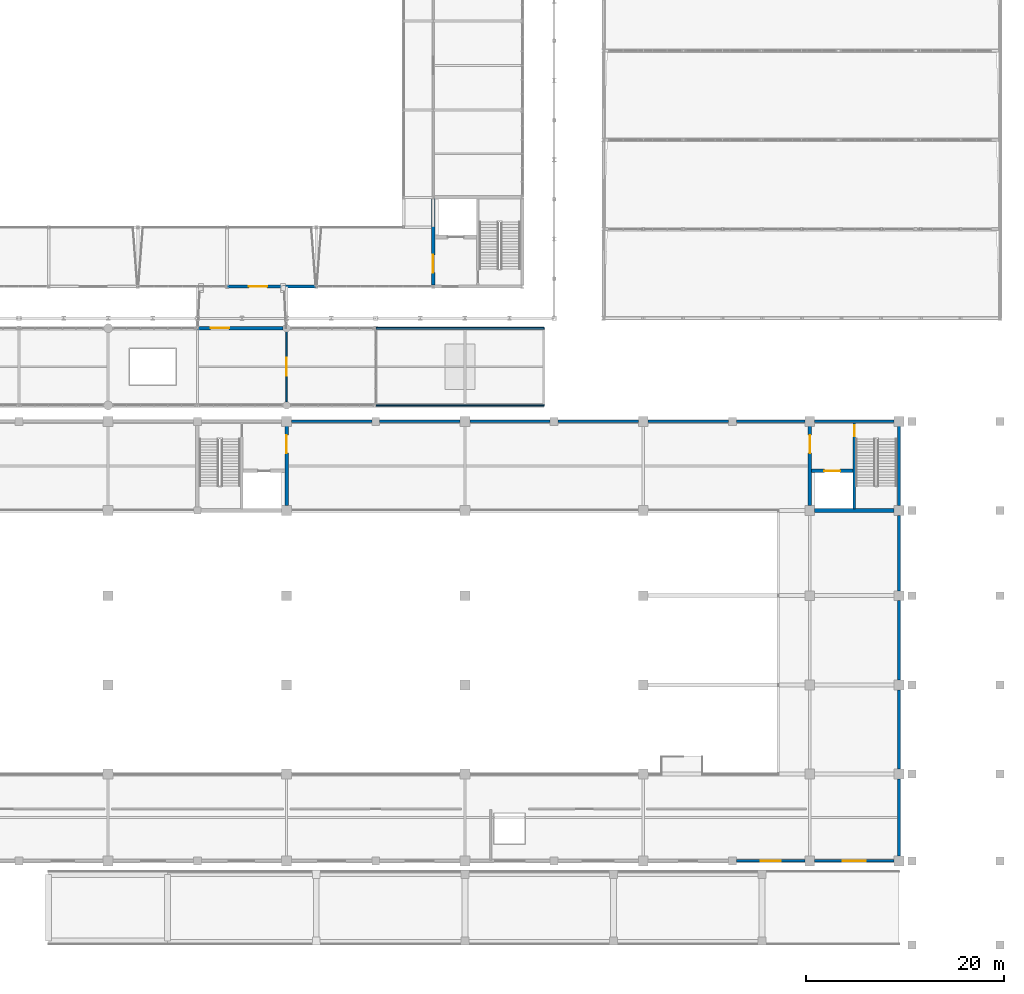
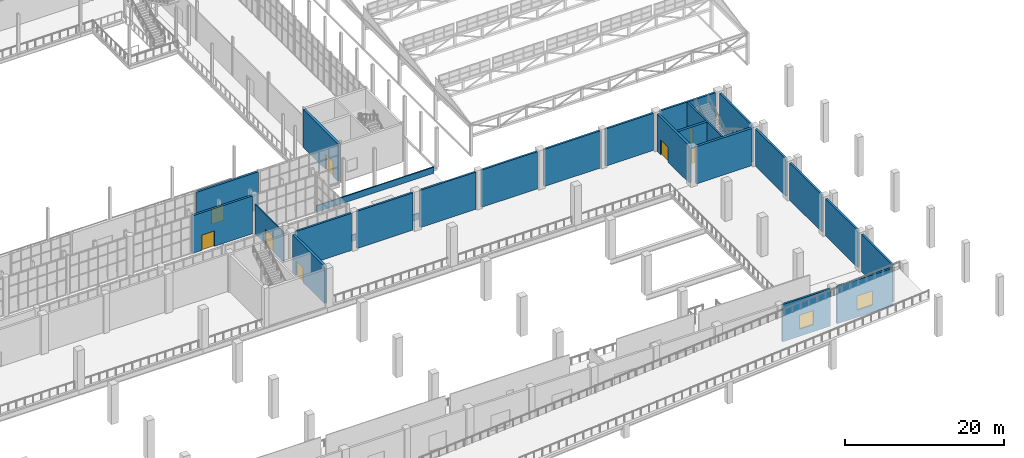
# One storey, part 127 of 159: 25 walls, 8 doors, 2 windows, 10 openings.
"""IFC4 building model written with IfcOpenShell, lengths in metres."""

from ifc_helpers import new_model, si_unit, direction, frame, frame_2d, origin, place, context, subcontext, project, spatial, rectangle, extrude, material, layer, layer_set, type_object, element, fill, save


model = new_model("IFC4")

# Units and contexts
model_context = context("Model", 3, precision=1e-05, world=origin(), true_north=direction((0.0, 1.0)))
body_context = subcontext(model_context, "Body", "Model", "MODEL_VIEW")
ifc_project = project(units=[si_unit("LENGTHUNIT", "METRE"), si_unit("AREAUNIT", "SQUARE_METRE"), si_unit("VOLUMEUNIT", "CUBIC_METRE"), si_unit("PLANEANGLEUNIT", "RADIAN"), si_unit("MASSUNIT", "GRAM", prefix="KILO")], contexts=[model_context])

# Site, building, storey
site_placement = place(None, origin())
site = spatial("IfcSite", under=ifc_project, at=site_placement, CompositionType="ELEMENT")
building_placement = place(site_placement, origin())
building = spatial("IfcBuilding", under=site, at=building_placement, Name="Cazmaro Siding Exhibition Halls", CompositionType="ELEMENT")
storey_placement = place(building_placement, frame((0.0, 0.0, 6.0)))
storey = spatial("IfcBuildingStorey", under=building, at=storey_placement, Name="L01", CompositionType="ELEMENT", Elevation=6.0)

# Wall, opening, door
ifc_material_1 = material(Name="Concrete f'c 45 MPa", Category="concrete")
ifc_layer_1 = layer(ifc_material_1, 0.320068359375)
ifc_layer_set_1 = layer_set([ifc_layer_1], Name="Concrete f'c 45 MPa")
wall_type_1 = type_object("IfcWallType", Name="EW-01", PredefinedType="STANDARD", material=ifc_layer_set_1)
wall_1_placement = place(storey_placement, frame((146.988037109375, 67.199951171875, 0.0), z_axis=(0.0, 0.0, 1.0), x_axis=(-1.0, 0.0, 0.0)))
wall_1 = element("IfcWall", 1, at=wall_1_placement, inside=storey, type_object=wall_type_1, Name="Hall A Bridge Portal Wall L01 EW-01 WL-E0022", PredefinedType="STANDARD", context=body_context, shape_type="SweptSolid", body=[
    extrude(rectangle(XDim=8.97607421875, YDim=0.320068359375, at=frame_2d((4.488037109375, 0.0))), origin(), (0.0, 0.0, 1.0), 5.780029296875),
])
opening_1_placement = place(wall_1_placement, frame((4.93798828125, 0.0, 0.0)))
opening_1 = element("IfcOpeningElement", 2, at=opening_1_placement, cuts=wall_1, Name="Opening D-E009", PredefinedType="OPENING", context=body_context, shape_type="SweptSolid", body=[
    extrude(rectangle(XDim=1.85009765625, YDim=2.35009765625, at=frame_2d((0.925048828125, 1.175048828125))), frame((0.0, 0.169921875, 0.0), z_axis=(0.0, -1.0, 0.0), x_axis=(1.0, 0.0, 0.0)), (0.0, 0.0, 1.0), 0.340087890625),
])
ifc_material_2 = material(Name="Anodized Bronze Glazed Entrance Door", Category="aluminium")
door_type_1 = type_object("IfcDoorType", Name="ED-03", OperationType="DOUBLE_DOOR_SINGLE_SWING", PredefinedType="DOOR", material=ifc_material_2)
door_1_placement = place(opening_1_placement, origin())
door_1 = element("IfcDoor", 3, at=door_1_placement, inside=storey, type_object=door_type_1, Name="Exterior door D-E009 (ED-03)", OperationType="DOUBLE_DOOR_SINGLE_SWING", OverallHeight=2.35009765625, OverallWidth=1.85009765625, PredefinedType="DOOR", context=body_context, shape_type="SweptSolid", body=[
    extrude(rectangle(XDim=1.85009765625, YDim=2.35009765625, at=frame_2d((0.925048828125, 1.175048828125))), frame((0.0, 0.02490234375, 0.0), z_axis=(0.0, -1.0, 0.0), x_axis=(1.0, 0.0, 0.0)), (0.0, 0.0, 1.0), 0.050048828125),
])
fill(opening_1, door_1)

wall_2_placement = place(storey_placement, frame((135.012939453125, 63.0, 0.0), z_axis=(0.0, 0.0, 1.0), x_axis=(1.0, 0.0, 0.0)))
wall_2 = element("IfcWall", 4, at=wall_2_placement, inside=storey, type_object=wall_type_1, Name="Concourse North Bridge Portal L01 EW-01 WL-E0180", PredefinedType="STANDARD", context=body_context, shape_type="SweptSolid", body=[
    extrude(rectangle(XDim=8.626953125, YDim=0.320068359375, at=frame_2d((4.3134765625, 0.0))), origin(), (0.0, 0.0, 1.0), 5.780029296875),
])
opening_2_placement = place(wall_2_placement, frame((1.3369140625, 0.0, 0.0)))
opening_2 = element("IfcOpeningElement", 5, at=opening_2_placement, cuts=wall_2, Name="Opening D-E047", PredefinedType="OPENING", context=body_context, shape_type="SweptSolid", body=[
    extrude(rectangle(XDim=1.85009765625, YDim=2.35009765625, at=frame_2d((0.925048828125, 1.175048828125))), frame((0.0, 0.169921875, 0.0), z_axis=(0.0, -1.0, 0.0), x_axis=(1.0, 0.0, 0.0)), (0.0, 0.0, 1.0), 0.340087890625),
])
door_2_placement = place(opening_2_placement, origin())
door_2 = element("IfcDoor", 6, at=door_2_placement, inside=storey, type_object=door_type_1, Name="Exterior door D-E047 (ED-03)", OperationType="DOUBLE_DOOR_SINGLE_SWING", OverallHeight=2.35009765625, OverallWidth=1.85009765625, PredefinedType="DOOR", context=body_context, shape_type="SweptSolid", body=[
    extrude(rectangle(XDim=1.85009765625, YDim=2.35009765625, at=frame_2d((0.925048828125, 1.175048828125))), frame((0.0, 0.02490234375, 0.0), z_axis=(0.0, -1.0, 0.0), x_axis=(1.0, 0.0, 0.0)), (0.0, 0.0, 1.0), 0.050048828125),
])
fill(opening_2, door_2)

# Walls
ifc_material_3 = material(Name="Precast concrete f'c 40 MPa", Category="concrete")
ifc_layer_2 = layer(ifc_material_3, 0.280029296875)
ifc_layer_set_2 = layer_set([ifc_layer_2], Name="Precast concrete f'c 40 MPa")
wall_type_2 = type_object("IfcWallType", Name="EW-02", PredefinedType="STANDARD", material=ifc_layer_set_2)
for number, where, z_axis, x_axis, name in (
    (7, (144.491943359375, 53.60009765625, 0.0), (0.0, 0.0, 1.0), (1.0, 0.0, 0.0), "Hall B1 North Upper Wall EW-02 WL-E0088"),
    (8, (153.39208984375, 53.60009765625, 0.0), (0.0, 0.0, 1.0), (1.0, 0.0, 0.0), "Hall B1 North Upper Wall EW-02 WL-E0094"),
    (9, (162.491943359375, 53.60009765625, 0.0), (0.0, 0.0, 1.0), (1.0, 0.0, 0.0), "Hall B1 North Upper Wall EW-02 WL-E0100"),
    (10, (171.39208984375, 53.60009765625, 0.0), (0.0, 0.0, 1.0), (1.0, 0.0, 0.0), "Hall B1 North Upper Wall EW-02 WL-E0106"),
    (11, (180.491943359375, 53.60009765625, 0.0), (0.0, 0.0, 1.0), (1.0, 0.0, 0.0), "Hall B1 North Upper Wall EW-02 WL-E0112"),
):
    element("IfcWall", number, at=place(storey_placement, frame(where, z_axis=z_axis, x_axis=x_axis)), inside=storey, type_object=wall_type_2, Name=name, PredefinedType="STANDARD", context=body_context, shape_type="SweptSolid", body=[
        extrude(rectangle(XDim=8.115966796875, YDim=0.280029296875, at=frame_2d((4.05810546875, 0.0))), origin(), (0.0, 0.0, 1.0), 5.699951171875),
    ])

# Wall, opening, window
wall_3_placement = place(storey_placement, frame((196.30810546875, 9.25, 0.0), z_axis=(0.0, 0.0, 1.0), x_axis=(-1.0, 0.0, 0.0)))
wall_3 = element("IfcWall", 12, at=wall_3_placement, inside=storey, type_object=wall_type_2, Name="Hall B1 South Mezzanine Wall EW-02 WL-E0115", PredefinedType="STANDARD", context=body_context, shape_type="SweptSolid", body=[
    extrude(rectangle(XDim=6.916015625, YDim=0.280029296875, at=frame_2d((3.4580078125, 0.0))), origin(), (0.0, 0.0, 1.0), 5.699951171875),
])
opening_3_placement = place(wall_3_placement, frame((2.4580078125, 0.0, 1.10009765625)))
opening_3 = element("IfcOpeningElement", 13, at=opening_3_placement, cuts=wall_3, Name="Opening W-051", PredefinedType="OPENING", context=body_context, shape_type="SweptSolid", body=[
    extrude(rectangle(XDim=2.0, YDim=2.14990234375, at=frame_2d((1.0, 1.074951171875))), frame((0.0, 0.14990234375, 0.0), z_axis=(0.0, -1.0, 0.0), x_axis=(1.0, 0.0, 0.0)), (0.0, 0.0, 1.0), 0.300048828125),
])
ifc_material_4 = material(Name="Thermally Broken Aluminum Low-E Window Unit", Category="aluminium")
window_type_1 = type_object("IfcWindowType", Name="WT-14", PartitioningType="SINGLE_PANEL", PredefinedType="WINDOW", material=ifc_material_4)
window_1_placement = place(opening_3_placement, origin())
window_1 = element("IfcWindow", 14, at=window_1_placement, inside=storey, type_object=window_type_1, Name="Window W-051 (WT-14)", OverallHeight=2.14990234375, OverallWidth=2.0, PartitioningType="SINGLE_PANEL", PredefinedType="WINDOW", context=body_context, shape_type="SweptSolid", body=[
    extrude(rectangle(XDim=2.0, YDim=2.14990234375, at=frame_2d((1.0, 1.074951171875))), frame((0.0, 0.030029296875, 0.0), z_axis=(0.0, -1.0, 0.0), x_axis=(1.0, 0.0, 0.0)), (0.0, 0.0, 1.0), 0.06005859375),
])
fill(opening_3, window_1)

# Wall
wall_4_placement = place(storey_placement, frame((189.39208984375, 53.60009765625, 0.0), z_axis=(0.0, 0.0, 1.0), x_axis=(1.0, 0.0, 0.0)))
element("IfcWall", 15, at=wall_4_placement, inside=storey, type_object=wall_type_2, Name="Hall B1 North Upper Wall EW-02 WL-E0118", PredefinedType="STANDARD", context=body_context, shape_type="SweptSolid", body=[
    extrude(rectangle(XDim=6.916015625, YDim=0.280029296875, at=frame_2d((3.4580078125, 0.0))), origin(), (0.0, 0.0, 1.0), 5.699951171875),
])

# Wall, opening, window
wall_5_placement = place(storey_placement, frame((205.30810546875, 9.25, 0.0), z_axis=(0.0, 0.0, 1.0), x_axis=(-1.0, 0.0, 0.0)))
wall_5 = element("IfcWall", 16, at=wall_5_placement, inside=storey, type_object=wall_type_2, Name="Hall B1 South Mezzanine Wall EW-02 WL-E0121", PredefinedType="STANDARD", context=body_context, shape_type="SweptSolid", body=[
    extrude(rectangle(XDim=8.01611328125, YDim=0.280029296875, at=frame_2d((4.008056640625, 0.0))), origin(), (0.0, 0.0, 1.0), 5.699951171875),
])
opening_4_placement = place(wall_5_placement, frame((2.85791015625, 0.0, 1.10009765625)))
opening_4 = element("IfcOpeningElement", 17, at=opening_4_placement, cuts=wall_5, Name="Opening W-054", PredefinedType="OPENING", context=body_context, shape_type="SweptSolid", body=[
    extrude(rectangle(XDim=2.300048828125, YDim=2.14990234375, at=frame_2d((1.14990234375, 1.074951171875))), frame((0.0, 0.14990234375, 0.0), z_axis=(0.0, -1.0, 0.0), x_axis=(1.0, 0.0, 0.0)), (0.0, 0.0, 1.0), 0.300048828125),
])
ifc_material_5 = material(Name="Thermally Broken Aluminum Low-E Window Unit", Category="aluminium")
window_type_2 = type_object("IfcWindowType", Name="WT-15", PartitioningType="SINGLE_PANEL", PredefinedType="WINDOW", material=ifc_material_5)
window_2_placement = place(opening_4_placement, origin())
window_2 = element("IfcWindow", 18, at=window_2_placement, inside=storey, type_object=window_type_2, Name="Window W-054 (WT-15)", OverallHeight=2.14990234375, OverallWidth=2.300048828125, PartitioningType="SINGLE_PANEL", PredefinedType="WINDOW", context=body_context, shape_type="SweptSolid", body=[
    extrude(rectangle(XDim=2.300048828125, YDim=2.14990234375, at=frame_2d((1.14990234375, 1.074951171875))), frame((0.0, 0.030029296875, 0.0), z_axis=(0.0, -1.0, 0.0), x_axis=(1.0, 0.0, 0.0)), (0.0, 0.0, 1.0), 0.06005859375),
])
fill(opening_4, window_2)

# Walls
wall_6_placement = place(storey_placement, frame((197.2919921875, 53.60009765625, 0.0), z_axis=(0.0, 0.0, 1.0), x_axis=(1.0, 0.0, 0.0)))
element("IfcWall", 19, at=wall_6_placement, inside=storey, type_object=wall_type_2, Name="Hall B1 North Upper Wall EW-02 WL-E0124", PredefinedType="STANDARD", context=body_context, shape_type="SweptSolid", body=[
    extrude(rectangle(XDim=8.01611328125, YDim=0.280029296875, at=frame_2d((4.008056640625, 0.0))), origin(), (0.0, 0.0, 1.0), 5.699951171875),
])
wall_7_placement = place(storey_placement, frame((205.800048828125, 17.508056640625, 0.0), z_axis=(0.0, 0.0, 1.0), x_axis=(0.0, -1.0, 0.0)))
element("IfcWall", 20, at=wall_7_placement, inside=storey, type_object=wall_type_2, Name="Freight Dock Mezzanine Wall EW-02 WL-E0130", PredefinedType="STANDARD", context=body_context, shape_type="SweptSolid", body=[
    extrude(rectangle(XDim=7.76611328125, YDim=0.280029296875, at=frame_2d((3.883056640625, 0.0))), origin(), (0.0, 0.0, 1.0), 5.699951171875),
])
for number, where, z_axis, x_axis, name in (
    (21, (205.800048828125, 26.508056640625, 0.0), (0.0, 0.0, 1.0), (0.0, -1.0, 0.0), "Freight Dock Mezzanine Wall EW-02 WL-E0136"),
    (22, (205.800048828125, 35.508056640625, 0.0), (0.0, 0.0, 1.0), (0.0, -1.0, 0.0), "Freight Dock Mezzanine Wall EW-02 WL-E0142"),
):
    element("IfcWall", number, at=place(storey_placement, frame(where, z_axis=z_axis, x_axis=x_axis)), inside=storey, type_object=wall_type_2, Name=name, PredefinedType="STANDARD", context=body_context, shape_type="SweptSolid", body=[
        extrude(rectangle(XDim=8.01611328125, YDim=0.280029296875, at=frame_2d((4.008056640625, 0.0))), origin(), (0.0, 0.0, 1.0), 5.699951171875),
    ])
wall_8_placement = place(storey_placement, frame((205.800048828125, 44.10791015625, 0.0), z_axis=(0.0, 0.0, 1.0), x_axis=(0.0, -1.0, 0.0)))
element("IfcWall", 23, at=wall_8_placement, inside=storey, type_object=wall_type_2, Name="Freight Dock Mezzanine Wall EW-02 WL-E0148", PredefinedType="STANDARD", context=body_context, shape_type="SweptSolid", body=[
    extrude(rectangle(XDim=7.615966796875, YDim=0.280029296875, at=frame_2d((3.80810546875, 0.0))), origin(), (0.0, 0.0, 1.0), 5.699951171875),
])
wall_9_placement = place(storey_placement, frame((205.800048828125, 53.10791015625, 0.0), z_axis=(0.0, 0.0, 1.0), x_axis=(0.0, -1.0, 0.0)))
element("IfcWall", 24, at=wall_9_placement, inside=storey, type_object=wall_type_2, Name="Freight Dock Mezzanine Wall EW-02 WL-E0154", PredefinedType="STANDARD", context=body_context, shape_type="SweptSolid", body=[
    extrude(rectangle(XDim=8.015869140625, YDim=0.280029296875, at=frame_2d((4.0078125, 0.0))), origin(), (0.0, 0.0, 1.0), 5.699951171875),
])
ifc_material_6 = material(Name="Precast concrete f'c 40 MPa", Category="concrete")
ifc_layer_3 = layer(ifc_material_6, 0.175048828125)
ifc_layer_set_3 = layer_set([ifc_layer_3], Name="Precast concrete f'c 40 MPa")
wall_type_3 = type_object("IfcWallType", Name="PP-02", PredefinedType="PARAPET", material=ifc_layer_set_3)
for number, where, z_axis, x_axis, name in (
    (25, (170.0, 55.199951171875, 0.0), (0.0, 0.0, 1.0), (-1.0, 0.0, 0.0), "East Vestibule South Parapet PP-02 WL-E0326"),
    (26, (153.0, 63.0, 0.0), (0.0, 0.0, 1.0), (1.0, 0.0, 0.0), "East Vestibule North Parapet PP-02 WL-E0327"),
):
    element("IfcWall", number, at=place(storey_placement, frame(where, z_axis=z_axis, x_axis=x_axis)), inside=storey, type_object=wall_type_3, Name=name, PredefinedType="PARAPET", context=body_context, shape_type="SweptSolid", body=[
        extrude(rectangle(XDim=17.0, YDim=0.175048828125, at=frame_2d((8.5, 0.0))), origin(), (0.0, 0.0, 1.0), 0.949951171875),
    ])

# Wall, opening, door
ifc_material_7 = material(Name="Fire-Rated Gypsum Board on Cold-Formed Steel Studs", Category="steel")
ifc_layer_4 = layer(ifc_material_7, 0.14501953125)
ifc_layer_set_4 = layer_set([ifc_layer_4], Name="Fire-Rated Gypsum Board on Cold-Formed Steel Studs")
wall_type_4 = type_object("IfcWallType", Name="PW-01", PredefinedType="PARTITIONING", material=ifc_layer_set_4)
wall_10_placement = place(storey_placement, frame((144.0, 55.55810546875, 0.0), z_axis=(0.0, 0.0, 1.0), x_axis=(0.0, 1.0, 0.0)))
wall_10 = element("IfcWall", 27, at=wall_10_placement, inside=storey, type_object=wall_type_4, Name="Concourse Lounge Partition L01 PW-01 WL-I0342", PredefinedType="PARTITIONING", context=body_context, shape_type="SweptSolid", body=[
    extrude(rectangle(XDim=7.083984375, YDim=0.14501953125, at=frame_2d((3.5419921875, 0.0))), origin(), (0.0, 0.0, 1.0), 4.550048828125),
])
opening_5_placement = place(wall_10_placement, frame((2.64208984375, 0.0, 0.0)))
opening_5 = element("IfcOpeningElement", 28, at=opening_5_placement, cuts=wall_10, Name="Opening D-I165", PredefinedType="OPENING", context=body_context, shape_type="SweptSolid", body=[
    extrude(rectangle(XDim=1.800048828125, YDim=2.300048828125, at=frame_2d((0.89990234375, 1.14990234375))), frame((0.0, 0.08251953125, 0.0), z_axis=(0.0, -1.0, 0.0), x_axis=(1.0, 0.0, 0.0)), (0.0, 0.0, 1.0), 0.1650390625),
])
ifc_material_8 = material(Name="Fire-Rated Painted Hollow Metal Door", Category="steel")
door_type_2 = type_object("IfcDoorType", Name="ID-02", OperationType="DOUBLE_DOOR_SINGLE_SWING", PredefinedType="DOOR", material=ifc_material_8)
door_3_placement = place(opening_5_placement, origin())
door_3 = element("IfcDoor", 29, at=door_3_placement, inside=storey, type_object=door_type_2, Name="Interior door D-I165 (ID-02)", OperationType="DOUBLE_DOOR_SINGLE_SWING", OverallHeight=2.300048828125, OverallWidth=1.800048828125, PredefinedType="DOOR", context=body_context, shape_type="SweptSolid", body=[
    extrude(rectangle(XDim=1.800048828125, YDim=2.300048828125, at=frame_2d((0.89990234375, 1.14990234375))), frame((0.0, 0.02490234375, 0.0), z_axis=(0.0, -1.0, 0.0), x_axis=(1.0, 0.0, 0.0)), (0.0, 0.0, 1.0), 0.050048828125),
])
fill(opening_5, door_3)

ifc_material_9 = material(Name="Concrete f'c 50 MPa", Category="concrete")
ifc_layer_5 = layer(ifc_material_9, 0.360107421875)
ifc_layer_set_5 = layer_set([ifc_layer_5], Name="Concrete f'c 50 MPa")
wall_type_5 = type_object("IfcWallType", Name="SW-01", PredefinedType="SHEAR", material=ifc_layer_set_5)
wall_11_placement = place(storey_placement, frame((158.800048828125, 67.347900390625, 0.0), z_axis=(0.0, 0.0, 1.0), x_axis=(0.0, 1.0, 0.0)))
wall_11 = element("IfcWall", 30, at=wall_11_placement, inside=storey, type_object=wall_type_5, Name="Core C2 West Shear Wall SW-01 WL-I0017", PredefinedType="SHEAR", context=body_context, shape_type="SweptSolid", body=[
    extrude(rectangle(XDim=8.72509765625, YDim=0.360107421875, at=frame_2d((4.362548828125, 0.0))), origin(), (0.0, 0.0, 1.0), 5.780029296875),
])
opening_6_placement = place(wall_11_placement, frame((1.251953125, 0.0, 0.0)))
opening_6 = element("IfcOpeningElement", 31, at=opening_6_placement, cuts=wall_11, Name="Opening D-I010", PredefinedType="OPENING", context=body_context, shape_type="SweptSolid", body=[
    extrude(rectangle(XDim=1.800048828125, YDim=2.300048828125, at=frame_2d((0.89990234375, 1.14990234375))), frame((0.0, 0.18994140625, 0.0), z_axis=(0.0, -1.0, 0.0), x_axis=(1.0, 0.0, 0.0)), (0.0, 0.0, 1.0), 0.380126953125),
])
door_4_placement = place(opening_6_placement, origin())
door_4 = element("IfcDoor", 32, at=door_4_placement, inside=storey, type_object=door_type_2, Name="Interior door D-I010 (ID-02)", OperationType="DOUBLE_DOOR_SINGLE_SWING", OverallHeight=2.300048828125, OverallWidth=1.800048828125, PredefinedType="DOOR", context=body_context, shape_type="SweptSolid", body=[
    extrude(rectangle(XDim=1.800048828125, YDim=2.300048828125, at=frame_2d((0.89990234375, 1.14990234375))), frame((0.0, 0.02490234375, 0.0), z_axis=(0.0, -1.0, 0.0), x_axis=(1.0, 0.0, 0.0)), (0.0, 0.0, 1.0), 0.050048828125),
])
fill(opening_6, door_4)

wall_12_placement = place(storey_placement, frame((144.0, 45.094970703125, 0.0), z_axis=(0.0, 0.0, 1.0), x_axis=(0.0, 1.0, 0.0)))
wall_12 = element("IfcWall", 33, at=wall_12_placement, inside=storey, type_object=wall_type_5, Name="Core C4 East Shear Wall SW-01 WL-I0043", PredefinedType="SHEAR", context=body_context, shape_type="SweptSolid", body=[
    extrude(rectangle(XDim=8.010009765625, YDim=0.360107421875, at=frame_2d((4.0048828125, 0.0))), origin(), (0.0, 0.0, 1.0), 5.699951171875),
])
opening_7_placement = place(wall_12_placement, frame((5.304931640625, 0.0, 0.0)))
opening_7 = element("IfcOpeningElement", 34, at=opening_7_placement, cuts=wall_12, Name="Opening D-I022", PredefinedType="OPENING", context=body_context, shape_type="SweptSolid", body=[
    extrude(rectangle(XDim=1.800048828125, YDim=2.300048828125, at=frame_2d((0.89990234375, 1.14990234375))), frame((0.0, 0.18994140625, 0.0), z_axis=(0.0, -1.0, 0.0), x_axis=(1.0, 0.0, 0.0)), (0.0, 0.0, 1.0), 0.380126953125),
])
door_5_placement = place(opening_7_placement, origin())
door_5 = element("IfcDoor", 35, at=door_5_placement, inside=storey, type_object=door_type_2, Name="Interior door D-I022 (ID-02)", OperationType="DOUBLE_DOOR_SINGLE_SWING", OverallHeight=2.300048828125, OverallWidth=1.800048828125, PredefinedType="DOOR", context=body_context, shape_type="SweptSolid", body=[
    extrude(rectangle(XDim=1.800048828125, YDim=2.300048828125, at=frame_2d((0.89990234375, 1.14990234375))), frame((0.0, 0.02490234375, 0.0), z_axis=(0.0, -1.0, 0.0), x_axis=(1.0, 0.0, 0.0)), (0.0, 0.0, 1.0), 0.050048828125),
])
fill(opening_7, door_5)

wall_13_placement = place(storey_placement, frame((196.800048828125, 45.094970703125, 0.0), z_axis=(0.0, 0.0, 1.0), x_axis=(0.0, 1.0, 0.0)))
wall_13 = element("IfcWall", 36, at=wall_13_placement, inside=storey, type_object=wall_type_5, Name="Core C5 West Shear Wall SW-01 WL-I0056", PredefinedType="SHEAR", context=body_context, shape_type="SweptSolid", body=[
    extrude(rectangle(XDim=8.010009765625, YDim=0.360107421875, at=frame_2d((4.0048828125, 0.0))), origin(), (0.0, 0.0, 1.0), 5.699951171875),
])
opening_8_placement = place(wall_13_placement, frame((5.304931640625, 0.0, 0.0)))
opening_8 = element("IfcOpeningElement", 37, at=opening_8_placement, cuts=wall_13, Name="Opening D-I028", PredefinedType="OPENING", context=body_context, shape_type="SweptSolid", body=[
    extrude(rectangle(XDim=1.800048828125, YDim=2.300048828125, at=frame_2d((0.89990234375, 1.14990234375))), frame((0.0, 0.18994140625, 0.0), z_axis=(0.0, -1.0, 0.0), x_axis=(1.0, 0.0, 0.0)), (0.0, 0.0, 1.0), 0.380126953125),
])
door_6_placement = place(opening_8_placement, origin())
door_6 = element("IfcDoor", 38, at=door_6_placement, inside=storey, type_object=door_type_2, Name="Interior door D-I028 (ID-02)", OperationType="DOUBLE_DOOR_SINGLE_SWING", OverallHeight=2.300048828125, OverallWidth=1.800048828125, PredefinedType="DOOR", context=body_context, shape_type="SweptSolid", body=[
    extrude(rectangle(XDim=1.800048828125, YDim=2.300048828125, at=frame_2d((0.89990234375, 1.14990234375))), frame((0.0, 0.02490234375, 0.0), z_axis=(0.0, -1.0, 0.0), x_axis=(1.0, 0.0, 0.0)), (0.0, 0.0, 1.0), 0.050048828125),
])
fill(opening_8, door_6)

# Wall
wall_14_placement = place(storey_placement, frame((197.294921875, 44.60009765625, 0.0), z_axis=(0.0, 0.0, 1.0), x_axis=(1.0, 0.0, 0.0)))
element("IfcWall", 39, at=wall_14_placement, inside=storey, type_object=wall_type_5, Name="Core C5 South Shear Wall SW-01 WL-I0057", PredefinedType="SHEAR", context=body_context, shape_type="SweptSolid", body=[
    extrude(rectangle(XDim=8.010009765625, YDim=0.360107421875, at=frame_2d((4.0048828125, 0.0))), origin(), (0.0, 0.0, 1.0), 5.699951171875),
])

# Wall, opening, door
wall_15_placement = place(storey_placement, frame((196.965087890625, 48.60009765625, 0.0), z_axis=(0.0, 0.0, 1.0), x_axis=(1.0, 0.0, 0.0)))
wall_15 = element("IfcWall", 40, at=wall_15_placement, inside=storey, type_object=wall_type_5, Name="Core C5 Lift Shaft Wall SW-01 WL-I0059", PredefinedType="SHEAR", context=body_context, shape_type="SweptSolid", body=[
    extrude(rectangle(XDim=4.219970703125, YDim=0.360107421875, at=frame_2d((2.10986328125, 0.0))), origin(), (0.0, 0.0, 1.0), 5.699951171875),
])
opening_9_placement = place(wall_15_placement, frame((1.31005859375, 0.0, 0.0)))
opening_9 = element("IfcOpeningElement", 41, at=opening_9_placement, cuts=wall_15, Name="Opening LD-014", PredefinedType="OPENING", context=body_context, shape_type="SweptSolid", body=[
    extrude(rectangle(XDim=1.60009765625, YDim=2.39990234375, at=frame_2d((0.800048828125, 1.199951171875))), frame((0.0, 0.18994140625, 0.0), z_axis=(0.0, -1.0, 0.0), x_axis=(1.0, 0.0, 0.0)), (0.0, 0.0, 1.0), 0.380126953125),
])
ifc_material_10 = material(Name="Stainless Steel Elevator Landing Door", Category="steel")
door_type_3 = type_object("IfcDoorType", Name="LD-02", OperationType="DOUBLE_DOOR_SLIDING", PredefinedType="DOOR", material=ifc_material_10)
door_7_placement = place(opening_9_placement, origin())
door_7 = element("IfcDoor", 42, at=door_7_placement, inside=storey, type_object=door_type_3, Name="Interior door LD-014 (LD-02)", OperationType="DOUBLE_DOOR_SLIDING", OverallHeight=2.39990234375, OverallWidth=1.60009765625, PredefinedType="DOOR", context=body_context, shape_type="SweptSolid", body=[
    extrude(rectangle(XDim=1.60009765625, YDim=2.39990234375, at=frame_2d((0.800048828125, 1.199951171875))), frame((0.0, 0.02490234375, 0.0), z_axis=(0.0, -1.0, 0.0), x_axis=(1.0, 0.0, 0.0)), (0.0, 0.0, 1.0), 0.050048828125),
])
fill(opening_9, door_7)

ifc_material_11 = material(Name="Concrete f'c 50 MPa", Category="concrete")
ifc_layer_6 = layer(ifc_material_11, 0.25)
ifc_layer_set_6 = layer_set([ifc_layer_6], Name="Concrete f'c 50 MPa")
wall_type_6 = type_object("IfcWallType", Name="SW-02", PredefinedType="SHEAR", material=ifc_layer_set_6)
wall_16_placement = place(storey_placement, frame((201.300048828125, 53.43505859375, 0.0), z_axis=(0.0, 0.0, 1.0), x_axis=(0.0, -1.0, 0.0)))
wall_16 = element("IfcWall", 43, at=wall_16_placement, inside=storey, type_object=wall_type_6, Name="Core C5 Stair-Lobby Divider SW-02 WL-I0058", PredefinedType="SHEAR", context=body_context, shape_type="SweptSolid", body=[
    extrude(rectangle(XDim=8.670166015625, YDim=0.25, at=frame_2d((4.3349609375, 0.0))), origin(), (0.0, 0.0, 1.0), 5.699951171875),
])
opening_10_placement = place(wall_16_placement, frame((0.25, 0.0, 0.0)))
opening_10 = element("IfcOpeningElement", 44, at=opening_10_placement, cuts=wall_16, Name="Opening D-I027", PredefinedType="OPENING", context=body_context, shape_type="SweptSolid", body=[
    extrude(rectangle(XDim=1.10009765625, YDim=2.199951171875, at=frame_2d((0.550048828125, 1.10009765625))), frame((0.0, 0.135009765625, 0.0), z_axis=(0.0, -1.0, 0.0), x_axis=(1.0, 0.0, 0.0)), (0.0, 0.0, 1.0), 0.27001953125),
])
ifc_material_12 = material(Name="Fire-Rated Painted Hollow Metal Door", Category="steel")
door_type_4 = type_object("IfcDoorType", Name="ID-01", OperationType="NOTDEFINED", PredefinedType="DOOR", material=ifc_material_12)
door_8_placement = place(opening_10_placement, origin())
door_8 = element("IfcDoor", 45, at=door_8_placement, inside=storey, type_object=door_type_4, Name="Interior door D-I027 (ID-01)", OperationType="SINGLE_SWING_LEFT", OverallHeight=2.199951171875, OverallWidth=1.10009765625, PredefinedType="DOOR", context=body_context, shape_type="SweptSolid", body=[
    extrude(rectangle(XDim=1.10009765625, YDim=2.199951171875, at=frame_2d((0.550048828125, 1.10009765625))), frame((0.0, 0.02490234375, 0.0), z_axis=(0.0, -1.0, 0.0), x_axis=(1.0, 0.0, 0.0)), (0.0, 0.0, 1.0), 0.050048828125),
])
fill(opening_10, door_8)

save(model, "model.ifc")
